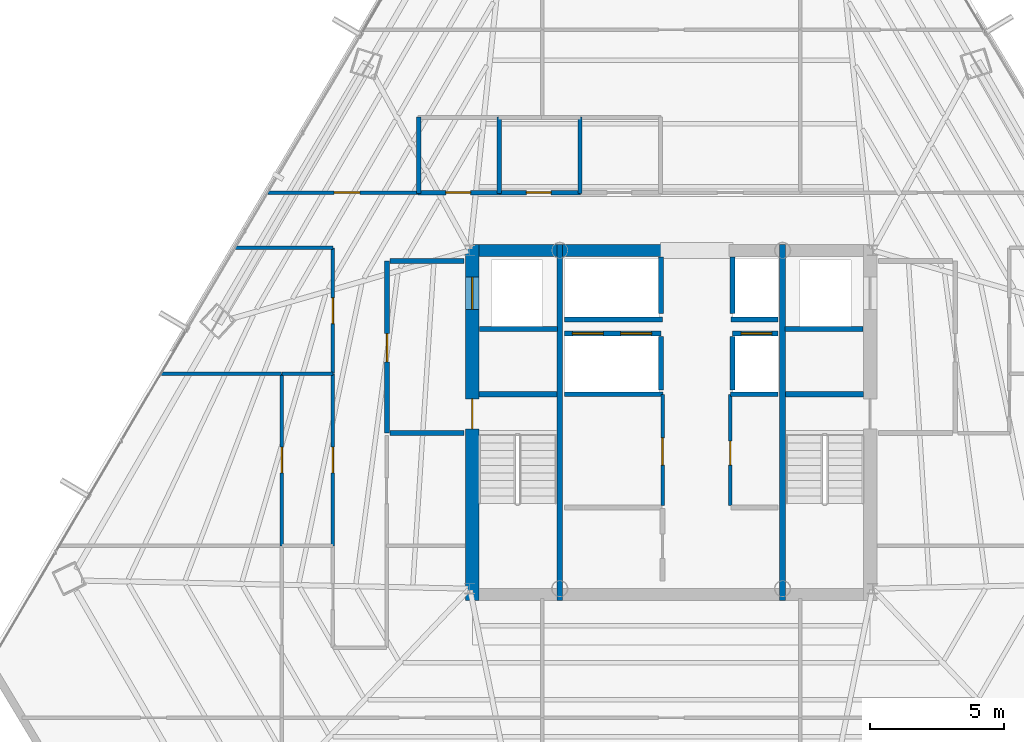
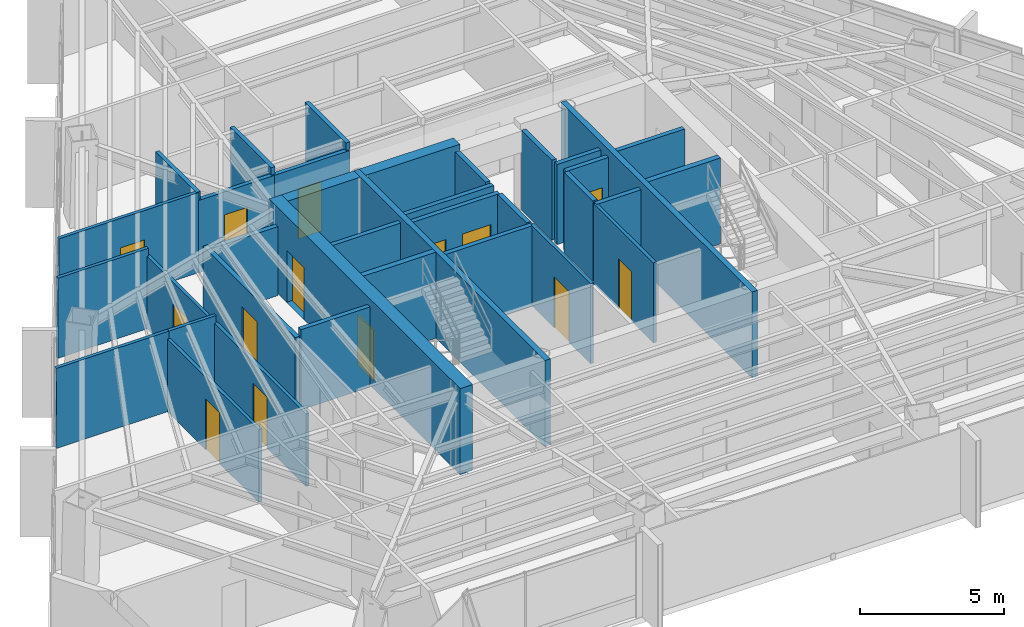
# One storey, part 36 of 41: 36 walls, 14 doors, 14 openings.
"""IFC4 building model written with IfcOpenShell, lengths in metres."""

import ifcopenshell
import ifcopenshell.guid

model = None  # the IFC model being written
_history = None  # IfcOwnerHistory: only IFC2X3 demands one
_inside = {}  # id of a spatial element -> (the spatial element, [elements in it])
_under = {}  # id of a project, library or spatial element -> (it, [spatial elements below it])
_declared = {}  # id of a project -> (the project, [libraries it declares])
_typed = {}  # id of a type object -> (the type object, [elements of that type])
_made_of = {}  # id of a material, layer set ... -> (it, [elements and type objects made of it])


def new_model(schema):
    """Start an empty IFC model of exactly this schema.

    Asked for "IFC4X3", IfcOpenShell would pick the latest addendum, in which some entities
    have other attributes; the version numbers below select the first issue.
    IFC2X3 requires an IfcOwnerHistory on every rooted entity: one is made here for all.
    """
    global model, _history
    if schema == "IFC4X3":
        model = ifcopenshell.file(schema_version=(4, 3, 0, 0))
    else:
        model = ifcopenshell.file(schema=schema)
    _inside.clear()
    _under.clear()
    _declared.clear()
    _typed.clear()
    _made_of.clear()
    _history = None
    if model.schema == "IFC2X3":
        org = make("IfcOrganization", Name="unknown")
        user = make(
            "IfcPersonAndOrganization",
            ThePerson=make("IfcPerson", FamilyName="unknown"),
            TheOrganization=org,
        )
        app = make(
            "IfcApplication",
            ApplicationDeveloper=org,
            Version="unknown",
            ApplicationFullName="unknown",
            ApplicationIdentifier="unknown",
        )
        _history = make(
            "IfcOwnerHistory",
            OwningUser=user,
            OwningApplication=app,
            ChangeAction="ADDED",
            CreationDate=0,
        )
    return model


def make(cls, **values):
    """One entity of the class cls with the attributes given. An attribute that is None is left unset."""
    return model.create_entity(
        cls, **{name: value for name, value in values.items() if value is not None}
    )


def rooted(cls, **values):
    """An entity with a GlobalId (a new one), such as an element, a storey or a relation."""
    return make(cls, GlobalId=ifcopenshell.guid.new(), OwnerHistory=_history, **values)


def si_unit(unit_type, name, prefix=None):
    """IfcSIUnit, for example si_unit("LENGTHUNIT", "METRE", prefix="MILLI")."""
    return make("IfcSIUnit", UnitType=unit_type, Prefix=prefix, Name=name)


def assignment(units):
    """IfcUnitAssignment: the units of a project."""
    return None if units is None else make("IfcUnitAssignment", Units=units)


def point(xyz):
    """IfcCartesianPoint."""
    return None if xyz is None else make("IfcCartesianPoint", Coordinates=xyz)


def direction(xyz):
    """IfcDirection."""
    return None if xyz is None else make("IfcDirection", DirectionRatios=xyz)


def frame(location, z_axis=None, x_axis=None):
    """IfcAxis2Placement3D, a coordinate frame: its origin and axes. An axis left out is left unset."""
    return make(
        "IfcAxis2Placement3D",
        Location=point(location),
        Axis=direction(z_axis),
        RefDirection=direction(x_axis),
    )


def frame_2d(location, x_axis=None):
    """IfcAxis2Placement2D, a coordinate frame in the plane: its origin and x axis."""
    return make(
        "IfcAxis2Placement2D", Location=point(location), RefDirection=direction(x_axis)
    )


def origin():
    """The frame at (0, 0, 0) with its axes left unset."""
    return frame((0.0, 0.0, 0.0))


def place(relative_to, where):
    """IfcLocalPlacement: puts the frame where relative to a parent placement (None: the world)."""
    return make(
        "IfcLocalPlacement", PlacementRelTo=relative_to, RelativePlacement=where
    )


def context(
    kind, dimensions, precision=None, world=None, true_north=None, identifier=None
):
    """IfcGeometricRepresentationContext, for example the 3D "Model" context."""
    return make(
        "IfcGeometricRepresentationContext",
        ContextIdentifier=identifier,
        ContextType=kind,
        CoordinateSpaceDimension=dimensions,
        Precision=precision,
        WorldCoordinateSystem=world,
        TrueNorth=true_north,
    )


def subcontext(parent, identifier, kind, view, scale=None):
    """IfcGeometricRepresentationSubContext, for example "Body" below "Model"."""
    return make(
        "IfcGeometricRepresentationSubContext",
        ContextIdentifier=identifier,
        ContextType=kind,
        ParentContext=parent,
        TargetScale=scale,
        TargetView=view,
    )


def project(units=None, contexts=None):
    """IfcProject with its units and contexts."""
    return rooted(
        "IfcProject",
        Name="project",
        RepresentationContexts=contexts,
        UnitsInContext=assignment(units),
    )


def spatial(cls, under=None, at=None, **own):
    """A site, building, storey or space (cls), placed at a placement, below another one or the project."""
    s = rooted(cls, ObjectPlacement=at, **own)
    if under is not None:
        _under.setdefault(under.id(), (under, []))[1].append(s)
    return s


def profile(cls, at=None, kind="AREA", **sizes):
    """A parametric profile (cls). Its sizes go by their IFC names, for example OverallWidth=200.0."""
    return make(cls, ProfileType=kind, Position=at, **sizes)


def rectangle(**sizes):
    """IfcRectangleProfileDef."""
    return profile("IfcRectangleProfileDef", **sizes)


def extrude(swept, where, along, depth):
    """IfcExtrudedAreaSolid: the profile swept, set in the frame where, extruded along a direction by depth."""
    return make(
        "IfcExtrudedAreaSolid",
        SweptArea=swept,
        Position=where,
        ExtrudedDirection=direction(along),
        Depth=depth,
    )


def shape(context_of_items, identifier, shape_type, items):
    """IfcShapeRepresentation: the items that make up one representation, for example the "Body"."""
    return make(
        "IfcShapeRepresentation",
        ContextOfItems=context_of_items,
        RepresentationIdentifier=identifier,
        RepresentationType=shape_type,
        Items=items,
    )


def material(Name=None, Category=None):
    """IfcMaterial."""
    return make("IfcMaterial", Name=Name, Category=Category)


def layer(
    of_material, thickness, ventilated=None, Name=None, Category=None, Priority=None
):
    """IfcMaterialLayer: one layer of a wall or slab, of a material (None: an air gap)."""
    return make(
        "IfcMaterialLayer",
        Material=of_material,
        LayerThickness=thickness,
        IsVentilated=ventilated,
        Name=Name,
        Category=Category,
        Priority=Priority,
    )


def layer_set(layers, Name=None):
    """IfcMaterialLayerSet."""
    return make("IfcMaterialLayerSet", MaterialLayers=layers, LayerSetName=Name)


def made_of(thing, what):
    """Note that an element or type object is made of a material, layer set ...; save() writes the relation."""
    if what is not None:
        _made_of.setdefault(what.id(), (what, []))[1].append(thing)
    return thing


def type_object(cls, material=None, **own):
    """A type object (cls), such as IfcWallType, which elements share."""
    return made_of(rooted(cls, **own), material)


def element(
    cls,
    number,
    at=None,
    inside=None,
    cuts=None,
    type_object=None,
    material=None,
    context=None,
    identifier="Body",
    shape_type=None,
    held_by="IfcProductDefinitionShape",
    body=None,
    shapes=None,
    **own,
):
    """One element of the class cls, such as IfcWall. Its Tag is "e" and its number.

    at: its placement. inside: the storey or other place that contains it. cuts: it is an
    opening in that element (IfcRelVoidsElement). A single representation is given by context,
    identifier, shape_type and body (its items); several are given by shapes. held_by: the class
    of the entity that holds the representations. save() writes the other relations.
    """
    e = rooted(cls, Tag="e%d" % number, ObjectPlacement=at, **own)
    if body is not None:
        shapes = [shape(context, identifier, shape_type, body)]
    if shapes is not None:
        e.Representation = make(held_by, Representations=shapes)
    if inside is not None:
        _inside.setdefault(inside.id(), (inside, []))[1].append(e)
    if cuts is not None:
        rooted(
            "IfcRelVoidsElement", RelatingBuildingElement=cuts, RelatedOpeningElement=e
        )
    if type_object is not None:
        _typed.setdefault(type_object.id(), (type_object, []))[1].append(e)
    return made_of(e, material)


def fill(opening, filler):
    """IfcRelFillsElement: the door or window that sits in an opening."""
    return rooted(
        "IfcRelFillsElement",
        RelatingOpeningElement=opening,
        RelatedBuildingElement=filler,
    )


def aggregate(whole, parts):
    """IfcRelAggregates: a whole, such as a stair, and the parts it consists of."""
    return rooted("IfcRelAggregates", RelatingObject=whole, RelatedObjects=parts)


def save(model, path):
    """Write the relations noted so far, then the file.

    IfcRelAggregates (storeys below a building ...), IfcRelContainedInSpatialStructure (elements
    in a storey), IfcRelDefinesByType, IfcRelAssociatesMaterial and IfcRelDeclares: one each for
    every whole, place, type object, material and project.
    """
    for whole, parts in _under.values():
        aggregate(whole, parts)
    for where, things in _inside.values():
        rooted(
            "IfcRelContainedInSpatialStructure",
            RelatedElements=things,
            RelatingStructure=where,
        )
    for kind, things in _typed.values():
        rooted("IfcRelDefinesByType", RelatedObjects=things, RelatingType=kind)
    for what, things in _made_of.values():
        rooted("IfcRelAssociatesMaterial", RelatedObjects=things, RelatingMaterial=what)
    for by, libraries in _declared.values():
        rooted("IfcRelDeclares", RelatingContext=by, RelatedDefinitions=libraries)
    model.write(path)


model = new_model("IFC4")

# Units and contexts
model_context = context("Model", 3, precision=1e-05, world=origin(), true_north=direction((0.0, 1.0)))
body_context = subcontext(model_context, "Body", "Model", "MODEL_VIEW")
ifc_project = project(units=[si_unit("LENGTHUNIT", "METRE"), si_unit("AREAUNIT", "SQUARE_METRE"), si_unit("VOLUMEUNIT", "CUBIC_METRE"), si_unit("PLANEANGLEUNIT", "RADIAN"), si_unit("MASSUNIT", "GRAM", prefix="KILO")], contexts=[model_context])

# Site, building, storey
site_placement = place(None, origin())
site = spatial("IfcSite", under=ifc_project, at=site_placement, CompositionType="ELEMENT")
building_placement = place(site_placement, origin())
building = spatial("IfcBuilding", under=site, at=building_placement, Name="Caelisora Broadcast Tower", CompositionType="ELEMENT")
storey_placement = place(building_placement, frame((0.0, 0.0, 173.10009765625)))
storey = spatial("IfcBuildingStorey", under=building, at=storey_placement, Name="L45", CompositionType="ELEMENT", Elevation=173.10009765625)

# Wall, openings, doors
ifc_material_1 = material(Name="Concrete 50 MPa (AS 3600 S50)", Category="concrete")
ifc_layer_1 = layer(ifc_material_1, 0.5, Name="Concrete 50 MPa (AS 3600 S50)")
ifc_layer_set_1 = layer_set([ifc_layer_1], Name="Concrete 50 MPa (AS 3600 S50)")
wall_type_1 = type_object("IfcWallType", Name="CW2", PredefinedType="SHEAR", material=ifc_layer_set_1)
wall_1_placement = place(storey_placement, frame((30.590087890625, 16.949951171875, 0.0), z_axis=(0.0, 0.0, 1.0), x_axis=(0.0, 1.0, 0.0)))
wall_1 = element("IfcWall", 1, at=wall_1_placement, inside=storey, type_object=wall_type_1, Name="L45 core shear wall CW2", PredefinedType="SHEAR", context=body_context, shape_type="SweptSolid", body=[
    extrude(rectangle(XDim=13.275146484375, YDim=0.5, at=frame_2d((6.6376953125, 0.0))), origin(), (0.0, 0.0, 1.0), 3.64990234375),
])
opening_1_placement = place(wall_1_placement, frame((6.39990234375, 0.0, 0.0)))
opening_1 = element("IfcOpeningElement", 2, at=opening_1_placement, cuts=wall_1, Name="Opening FD04", PredefinedType="OPENING", context=body_context, shape_type="SweptSolid", body=[
    extrude(rectangle(XDim=1.1201171875, YDim=2.14990234375, at=frame_2d((0.56005859375, 1.074951171875))), frame((0.0, 0.261962890625, 0.0), z_axis=(0.0, -1.0, 0.0), x_axis=(1.0, 0.0, 0.0)), (0.0, 0.0, 1.0), 0.52392578125),
])
opening_2_placement = place(wall_1_placement, frame((10.85009765625, 0.0, 0.0)))
opening_2 = element("IfcOpeningElement", 3, at=opening_2_placement, cuts=wall_1, Name="Opening LD04", PredefinedType="OPENING", context=body_context, shape_type="SweptSolid", body=[
    extrude(rectangle(XDim=1.199951171875, YDim=2.199951171875, at=frame_2d((0.60009765625, 1.10009765625))), frame((0.0, 0.261962890625, 0.0), z_axis=(0.0, -1.0, 0.0), x_axis=(1.0, 0.0, 0.0)), (0.0, 0.0, 1.0), 0.52392578125),
])
ifc_material_2 = material(Name="Pressurised Fire-Isolated Stair Door", Category="steel")
door_type_1 = type_object("IfcDoorType", Name="FD04", OperationType="NOTDEFINED", PredefinedType="DOOR", material=ifc_material_2)
door_1_placement = place(opening_1_placement, origin())
door_1 = element("IfcDoor", 4, at=door_1_placement, inside=storey, type_object=door_type_1, Name="L45 door FD04 (L45-DR-ST1)", OperationType="SINGLE_SWING_LEFT", OverallHeight=2.14990234375, OverallWidth=1.1201171875, PredefinedType="DOOR", context=body_context, shape_type="SweptSolid", body=[
    extrude(rectangle(XDim=1.1201171875, YDim=2.14990234375, at=frame_2d((0.56005859375, 1.074951171875))), frame((0.0, 0.02490234375, 0.0), z_axis=(0.0, -1.0, 0.0), x_axis=(1.0, 0.0, 0.0)), (0.0, 0.0, 1.0), 0.050048828125),
])
fill(opening_1, door_1)
ifc_material_3 = material(Name="Emergency Firefighting Lift Sliding Landing Door", Category="steel")
door_type_2 = type_object("IfcDoorType", Name="LD04", OperationType="NOTDEFINED", PredefinedType="DOOR", material=ifc_material_3)
door_2_placement = place(opening_2_placement, origin())
door_2 = element("IfcDoor", 5, at=door_2_placement, inside=storey, type_object=door_type_2, Name="L45 door LD04 (L45-LD-FFL1)", OperationType="SLIDING_TO_LEFT", OverallHeight=2.199951171875, OverallWidth=1.199951171875, PredefinedType="DOOR", context=body_context, shape_type="SweptSolid", body=[
    extrude(rectangle(XDim=1.199951171875, YDim=2.199951171875, at=frame_2d((0.60009765625, 1.10009765625))), frame((0.0, 0.02490234375, 0.0), z_axis=(0.0, -1.0, 0.0), x_axis=(1.0, 0.0, 0.0)), (0.0, 0.0, 1.0), 0.050048828125),
])
fill(opening_2, door_2)

# Walls
ifc_layer_2 = layer(ifc_material_1, 0.449951171875, Name="Concrete 50 MPa (AS 3600 S50)")
ifc_layer_set_2 = layer_set([ifc_layer_2], Name="Concrete 50 MPa (AS 3600 S50)")
wall_type_2 = type_object("IfcWallType", Name="CW5", PredefinedType="SHEAR", material=ifc_layer_set_2)
wall_2_placement = place(storey_placement, frame((30.840087890625, 30.0, 0.0), z_axis=(0.0, 0.0, 1.0), x_axis=(1.0, 0.0, 0.0)))
element("IfcWall", 6, at=wall_2_placement, inside=storey, type_object=wall_type_2, Name="L45 core shear wall CW5", PredefinedType="SHEAR", context=body_context, shape_type="SweptSolid", body=[
    extrude(rectangle(XDim=2.89990234375, YDim=0.449951171875, at=frame_2d((1.449951171875, 0.0))), origin(), (0.0, 0.0, 1.0), 3.64990234375),
])
wall_3_placement = place(storey_placement, frame((33.9599609375, 30.0, 0.0), z_axis=(0.0, 0.0, 1.0), x_axis=(1.0, 0.0, 0.0)))
element("IfcWall", 7, at=wall_3_placement, inside=storey, type_object=wall_type_2, Name="L45 core shear wall CW5", PredefinedType="SHEAR", context=body_context, shape_type="SweptSolid", body=[
    extrude(rectangle(XDim=3.780029296875, YDim=0.449951171875, at=frame_2d((1.89013671875, 0.0))), origin(), (0.0, 0.0, 1.0), 3.64990234375),
])
ifc_layer_3 = layer(ifc_material_1, 0.219970703125, Name="Concrete 50 MPa (AS 3600 S50)")
ifc_layer_set_3 = layer_set([ifc_layer_3], Name="Concrete 50 MPa (AS 3600 S50)")
wall_type_3 = type_object("IfcWallType", Name="CW7", PredefinedType="SHEAR", material=ifc_layer_set_3)
for number, where, z_axis, x_axis, name in (
    (8, (33.85009765625, 16.949951171875, 0.0), (0.0, 0.0, 1.0), (0.0, 1.0, 0.0), "L45 core shear wall CW7"),
    (9, (42.14990234375, 16.949951171875, 0.0), (0.0, 0.0, 1.0), (0.0, 1.0, 0.0), "L45 core shear wall CW7"),
):
    element("IfcWall", number, at=place(storey_placement, frame(where, z_axis=z_axis, x_axis=x_axis)), inside=storey, type_object=wall_type_3, Name=name, PredefinedType="SHEAR", context=body_context, shape_type="SweptSolid", body=[
        extrude(rectangle(XDim=13.275146484375, YDim=0.219970703125, at=frame_2d((6.6376953125, 0.0))), origin(), (0.0, 0.0, 1.0), 3.64990234375),
    ])
for number, where, z_axis, x_axis, name in (
    (10, (30.840087890625, 24.639892578125, 0.0), (0.0, 0.0, 1.0), (1.0, 0.0, 0.0), "L45 core shear wall CW7"),
    (11, (42.260009765625, 24.639892578125, 0.0), (0.0, 0.0, 1.0), (1.0, 0.0, 0.0), "L45 core shear wall CW7"),
):
    element("IfcWall", number, at=place(storey_placement, frame(where, z_axis=z_axis, x_axis=x_axis)), inside=storey, type_object=wall_type_3, Name=name, PredefinedType="SHEAR", context=body_context, shape_type="SweptSolid", body=[
        extrude(rectangle(XDim=2.89990234375, YDim=0.219970703125, at=frame_2d((1.449951171875, 0.0))), origin(), (0.0, 0.0, 1.0), 3.64990234375),
    ])

# Wall, openings, doors
ifc_material_4 = material(Name="Fire-Rated Gypsum Shaft and Compartment Wall", Category="gypsum")
ifc_layer_4 = layer(ifc_material_4, 0.179931640625, Name="Fire-Rated Gypsum Shaft and Compartment Wall")
ifc_layer_set_4 = layer_set([ifc_layer_4], Name="Fire-Rated Gypsum Shaft and Compartment Wall")
wall_type_4 = type_object("IfcWallType", Name="PW2", PredefinedType="PARTITIONING", material=ifc_layer_set_4)
wall_4_placement = place(storey_placement, frame((34.02001953125, 26.89990234375, 0.0), z_axis=(0.0, 0.0, 1.0), x_axis=(1.0, 0.0, 0.0)))
wall_4 = element("IfcWall", 12, at=wall_4_placement, inside=storey, type_object=wall_type_4, Name="L45 fire compartment wall PW2", PredefinedType="PARTITIONING", context=body_context, shape_type="SweptSolid", body=[
    extrude(rectangle(XDim=3.60009765625, YDim=0.179931640625, at=frame_2d((1.800048828125, 0.0))), origin(), (0.0, 0.0, 1.0), 3.39990234375),
])
opening_3_placement = place(wall_4_placement, frame((0.300048828125, 0.0, 0.0)))
opening_3 = element("IfcOpeningElement", 13, at=opening_3_placement, cuts=wall_4, Name="Opening LD02", PredefinedType="OPENING", context=body_context, shape_type="SweptSolid", body=[
    extrude(rectangle(XDim=1.14990234375, YDim=2.199951171875, at=frame_2d((0.574951171875, 1.10009765625))), frame((0.0, 0.10205078125, 0.0), z_axis=(0.0, -1.0, 0.0), x_axis=(1.0, 0.0, 0.0)), (0.0, 0.0, 1.0), 0.203857421875),
])
opening_4_placement = place(wall_4_placement, frame((2.10009765625, 0.0, 0.0)))
opening_4 = element("IfcOpeningElement", 14, at=opening_4_placement, cuts=wall_4, Name="Opening LD02", PredefinedType="OPENING", context=body_context, shape_type="SweptSolid", body=[
    extrude(rectangle(XDim=1.14990234375, YDim=2.199951171875, at=frame_2d((0.574951171875, 1.10009765625))), frame((0.0, 0.10205078125, 0.0), z_axis=(0.0, -1.0, 0.0), x_axis=(1.0, 0.0, 0.0)), (0.0, 0.0, 1.0), 0.203857421875),
])
ifc_material_5 = material(Name="High-Speed Express Lift Sliding Landing Door", Category="steel")
door_type_3 = type_object("IfcDoorType", Name="LD02", OperationType="NOTDEFINED", PredefinedType="DOOR", material=ifc_material_5)
door_3_placement = place(opening_3_placement, origin())
door_3 = element("IfcDoor", 15, at=door_3_placement, inside=storey, type_object=door_type_3, Name="L45 door LD02 (L45-LD-PLM1)", OperationType="SLIDING_TO_LEFT", OverallHeight=2.199951171875, OverallWidth=1.14990234375, PredefinedType="DOOR", context=body_context, shape_type="SweptSolid", body=[
    extrude(rectangle(XDim=1.14990234375, YDim=2.199951171875, at=frame_2d((0.574951171875, 1.10009765625))), frame((0.0, 0.02490234375, 0.0), z_axis=(0.0, -1.0, 0.0), x_axis=(1.0, 0.0, 0.0)), (0.0, 0.0, 1.0), 0.050048828125),
])
fill(opening_3, door_3)
door_4_placement = place(opening_4_placement, origin())
door_4 = element("IfcDoor", 16, at=door_4_placement, inside=storey, type_object=door_type_3, Name="L45 door LD02 (L45-LD-PLM2)", OperationType="SLIDING_TO_RIGHT", OverallHeight=2.199951171875, OverallWidth=1.14990234375, PredefinedType="DOOR", context=body_context, shape_type="SweptSolid", body=[
    extrude(rectangle(XDim=1.14990234375, YDim=2.199951171875, at=frame_2d((0.574951171875, 1.10009765625))), frame((0.0, 0.02490234375, 0.0), z_axis=(0.0, -1.0, 0.0), x_axis=(1.0, 0.0, 0.0)), (0.0, 0.0, 1.0), 0.050048828125),
])
fill(opening_4, door_4)

# Wall, opening, door
wall_5_placement = place(storey_placement, frame((40.280029296875, 26.89990234375, 0.0), z_axis=(0.0, 0.0, 1.0), x_axis=(1.0, 0.0, 0.0)))
wall_5 = element("IfcWall", 17, at=wall_5_placement, inside=storey, type_object=wall_type_4, Name="L45 fire compartment wall PW2", PredefinedType="PARTITIONING", context=body_context, shape_type="SweptSolid", body=[
    extrude(rectangle(XDim=1.699951171875, YDim=0.179931640625, at=frame_2d((0.85009765625, 0.0))), origin(), (0.0, 0.0, 1.0), 3.39990234375),
])
opening_5_placement = place(wall_5_placement, frame((0.320068359375, 0.0, 0.0)))
opening_5 = element("IfcOpeningElement", 18, at=opening_5_placement, cuts=wall_5, Name="Opening LD02", PredefinedType="OPENING", context=body_context, shape_type="SweptSolid", body=[
    extrude(rectangle(XDim=1.14990234375, YDim=2.199951171875, at=frame_2d((0.574951171875, 1.10009765625))), frame((0.0, 0.10205078125, 0.0), z_axis=(0.0, -1.0, 0.0), x_axis=(1.0, 0.0, 0.0)), (0.0, 0.0, 1.0), 0.203857421875),
])
door_5_placement = place(opening_5_placement, origin())
door_5 = element("IfcDoor", 19, at=door_5_placement, inside=storey, type_object=door_type_3, Name="L45 door LD02 (L45-LD-PLM3)", OperationType="SLIDING_TO_LEFT", OverallHeight=2.199951171875, OverallWidth=1.14990234375, PredefinedType="DOOR", context=body_context, shape_type="SweptSolid", body=[
    extrude(rectangle(XDim=1.14990234375, YDim=2.199951171875, at=frame_2d((0.574951171875, 1.10009765625))), frame((0.0, 0.02490234375, 0.0), z_axis=(0.0, -1.0, 0.0), x_axis=(1.0, 0.0, 0.0)), (0.0, 0.0, 1.0), 0.050048828125),
])
fill(opening_5, door_5)

# Walls
for number, where, z_axis, x_axis, name in (
    (20, (37.6201171875, 24.800048828125, 0.0), (0.0, 0.0, 1.0), (0.0, 1.0, 0.0), "L45 fire compartment wall PW2"),
    (21, (40.280029296875, 24.800048828125, 0.0), (0.0, 0.0, 1.0), (0.0, 1.0, 0.0), "L45 fire compartment wall PW2"),
):
    element("IfcWall", number, at=place(storey_placement, frame(where, z_axis=z_axis, x_axis=x_axis)), inside=storey, type_object=wall_type_4, Name=name, PredefinedType="PARTITIONING", context=body_context, shape_type="SweptSolid", body=[
        extrude(rectangle(XDim=2.0, YDim=0.179931640625, at=frame_2d((1.0, 0.0))), origin(), (0.0, 0.0, 1.0), 3.39990234375),
    ])
wall_6_placement = place(storey_placement, frame((34.02001953125, 24.639892578125, 0.0), z_axis=(0.0, 0.0, 1.0), x_axis=(1.0, 0.0, 0.0)))
element("IfcWall", 22, at=wall_6_placement, inside=storey, type_object=wall_type_4, Name="L45 fire compartment wall PW2", PredefinedType="PARTITIONING", context=body_context, shape_type="SweptSolid", body=[
    extrude(rectangle(XDim=3.679931640625, YDim=0.179931640625, at=frame_2d((1.83984375, 0.0))), origin(), (0.0, 0.0, 1.0), 3.39990234375),
])
wall_7_placement = place(storey_placement, frame((40.199951171875, 24.639892578125, 0.0), z_axis=(0.0, 0.0, 1.0), x_axis=(1.0, 0.0, 0.0)))
element("IfcWall", 23, at=wall_7_placement, inside=storey, type_object=wall_type_4, Name="L45 fire compartment wall PW2", PredefinedType="PARTITIONING", context=body_context, shape_type="SweptSolid", body=[
    extrude(rectangle(XDim=1.780029296875, YDim=0.179931640625, at=frame_2d((0.89013671875, 0.0))), origin(), (0.0, 0.0, 1.0), 3.39990234375),
])
wall_8_placement = place(storey_placement, frame((34.02001953125, 27.419921875, 0.0), z_axis=(0.0, 0.0, 1.0), x_axis=(1.0, 0.0, 0.0)))
element("IfcWall", 24, at=wall_8_placement, inside=storey, type_object=wall_type_4, Name="L45 fire compartment wall PW2", PredefinedType="PARTITIONING", context=body_context, shape_type="SweptSolid", body=[
    extrude(rectangle(XDim=3.659912109375, YDim=0.179931640625, at=frame_2d((1.830078125, 0.0))), origin(), (0.0, 0.0, 1.0), 3.39990234375),
])
wall_9_placement = place(storey_placement, frame((40.219970703125, 27.419921875, 0.0), z_axis=(0.0, 0.0, 1.0), x_axis=(1.0, 0.0, 0.0)))
element("IfcWall", 25, at=wall_9_placement, inside=storey, type_object=wall_type_4, Name="L45 fire compartment wall PW2", PredefinedType="PARTITIONING", context=body_context, shape_type="SweptSolid", body=[
    extrude(rectangle(XDim=1.760009765625, YDim=0.179931640625, at=frame_2d((0.8798828125, 0.0))), origin(), (0.0, 0.0, 1.0), 3.39990234375),
])
for number, where, z_axis, x_axis, name in (
    (26, (37.6201171875, 27.639892578125, 0.0), (0.0, 0.0, 1.0), (0.0, 1.0, 0.0), "L45 fire compartment wall PW2"),
    (27, (40.280029296875, 27.639892578125, 0.0), (0.0, 0.0, 1.0), (0.0, 1.0, 0.0), "L45 fire compartment wall PW2"),
):
    element("IfcWall", number, at=place(storey_placement, frame(where, z_axis=z_axis, x_axis=x_axis)), inside=storey, type_object=wall_type_4, Name=name, PredefinedType="PARTITIONING", context=body_context, shape_type="SweptSolid", body=[
        extrude(rectangle(XDim=2.110107421875, YDim=0.179931640625, at=frame_2d((1.05517578125, 0.0))), origin(), (0.0, 0.0, 1.0), 3.39990234375),
    ])

# Wall, opening, door
wall_10_placement = place(storey_placement, frame((27.419921875, 23.199951171875, 0.0), z_axis=(0.0, 0.0, 1.0), x_axis=(0.0, 1.0, 0.0)))
wall_10 = element("IfcWall", 28, at=wall_10_placement, inside=storey, type_object=wall_type_4, Name="L45 fire compartment wall PW2", PredefinedType="PARTITIONING", context=body_context, shape_type="SweptSolid", body=[
    extrude(rectangle(XDim=6.400146484375, YDim=0.179931640625, at=frame_2d((3.2001953125, 0.0))), origin(), (0.0, 0.0, 1.0), 3.07763671875),
])
opening_6_placement = place(wall_10_placement, frame((2.64990234375, 0.0, 0.0)))
opening_6 = element("IfcOpeningElement", 29, at=opening_6_placement, cuts=wall_10, Name="Opening FD02", PredefinedType="OPENING", context=body_context, shape_type="SweptSolid", body=[
    extrude(rectangle(XDim=1.050048828125, YDim=2.14990234375, at=frame_2d((0.52490234375, 1.074951171875))), frame((0.0, 0.10205078125, 0.0), z_axis=(0.0, -1.0, 0.0), x_axis=(1.0, 0.0, 0.0)), (0.0, 0.0, 1.0), 0.203857421875),
])
ifc_material_6 = material(Name="Single-Leaf Steel Fire Lobby Door", Category="steel")
door_type_4 = type_object("IfcDoorType", Name="FD02", OperationType="NOTDEFINED", PredefinedType="DOOR", material=ifc_material_6)
door_6_placement = place(opening_6_placement, origin())
door_6 = element("IfcDoor", 30, at=door_6_placement, inside=storey, type_object=door_type_4, Name="L45 door FD02 (L45-DR-P01D1)", OperationType="SINGLE_SWING_RIGHT", OverallHeight=2.14990234375, OverallWidth=1.050048828125, PredefinedType="DOOR", context=body_context, shape_type="SweptSolid", body=[
    extrude(rectangle(XDim=1.050048828125, YDim=2.14990234375, at=frame_2d((0.52490234375, 1.074951171875))), frame((0.0, 0.02490234375, 0.0), z_axis=(0.0, -1.0, 0.0), x_axis=(1.0, 0.0, 0.0)), (0.0, 0.0, 1.0), 0.050048828125),
])
fill(opening_6, door_6)

# Walls
wall_11_placement = place(storey_placement, frame((27.52001953125, 23.199951171875, 0.0), z_axis=(0.0, 0.0, 1.0), x_axis=(1.0, 0.0, 0.0)))
element("IfcWall", 31, at=wall_11_placement, inside=storey, type_object=wall_type_4, Name="L45 fire compartment wall PW2", PredefinedType="PARTITIONING", context=body_context, shape_type="SweptSolid", body=[
    extrude(rectangle(XDim=2.760009765625, YDim=0.179931640625, at=frame_2d((1.3798828125, 0.0))), origin(), (0.0, 0.0, 1.0), 3.39990234375),
])
wall_12_placement = place(storey_placement, frame((27.52001953125, 29.60009765625, 0.0), z_axis=(0.0, 0.0, 1.0), x_axis=(1.0, 0.0, 0.0)))
element("IfcWall", 32, at=wall_12_placement, inside=storey, type_object=wall_type_4, Name="L45 fire compartment wall PW2", PredefinedType="PARTITIONING", context=body_context, shape_type="SweptSolid", body=[
    extrude(rectangle(XDim=2.760009765625, YDim=0.179931640625, at=frame_2d((1.3798828125, 0.0))), origin(), (0.0, 0.0, 1.0), 2.924560546875),
])
for number, where, z_axis, x_axis, name in (
    (33, (30.860107421875, 27.070068359375, 0.0), (0.0, 0.0, 1.0), (1.0, 0.0, 0.0), "L45 fire compartment wall PW2"),
    (34, (42.239990234375, 27.070068359375, 0.0), (0.0, 0.0, 1.0), (1.0, 0.0, 0.0), "L45 fire compartment wall PW2"),
):
    element("IfcWall", number, at=place(storey_placement, frame(where, z_axis=z_axis, x_axis=x_axis)), inside=storey, type_object=wall_type_4, Name=name, PredefinedType="PARTITIONING", context=body_context, shape_type="SweptSolid", body=[
        extrude(rectangle(XDim=2.89990234375, YDim=0.179931640625, at=frame_2d((1.449951171875, 0.0))), origin(), (0.0, 0.0, 1.0), 3.39990234375),
    ])

# Wall, opening, door
ifc_material_7 = material(Name="Acoustic Steel-Stud Plasterboard Partition", Category="gypsum")
ifc_layer_5 = layer(ifc_material_7, 0.1298828125, Name="Acoustic Steel-Stud Plasterboard Partition")
ifc_layer_set_5 = layer_set([ifc_layer_5], Name="Acoustic Steel-Stud Plasterboard Partition")
wall_type_5 = type_object("IfcWallType", Name="PW3", PredefinedType="PARTITIONING", material=ifc_layer_set_5)
wall_13_placement = place(storey_placement, frame((37.679931640625, 20.5, 0.0), z_axis=(0.0, 0.0, 1.0), x_axis=(0.0, 1.0, 0.0)))
wall_13 = element("IfcWall", 35, at=wall_13_placement, inside=storey, type_object=wall_type_5, Name="L45 internal partition PW3", PredefinedType="PARTITIONING", context=body_context, shape_type="SweptSolid", body=[
    extrude(rectangle(XDim=4.139892578125, YDim=0.1298828125, at=frame_2d((2.06982421875, 0.0))), origin(), (0.0, 0.0, 1.0), 3.39990234375),
])
opening_7_placement = place(wall_13_placement, frame((1.5, 0.0, 0.0)))
opening_7 = element("IfcOpeningElement", 36, at=opening_7_placement, cuts=wall_13, Name="Opening D02", PredefinedType="OPENING", context=body_context, shape_type="SweptSolid", body=[
    extrude(rectangle(XDim=1.02001953125, YDim=2.14990234375, at=frame_2d((0.510009765625, 1.074951171875))), frame((0.0, 0.076904296875, 0.0), z_axis=(0.0, -1.0, 0.0), x_axis=(1.0, 0.0, 0.0)), (0.0, 0.0, 1.0), 0.15380859375),
])
ifc_material_8 = material(Name="Solid-Core Timber Archive Suite Door", Category="wood")
door_type_5 = type_object("IfcDoorType", Name="D02", OperationType="NOTDEFINED", PredefinedType="DOOR", material=ifc_material_8)
door_7_placement = place(opening_7_placement, origin())
door_7 = element("IfcDoor", 37, at=door_7_placement, inside=storey, type_object=door_type_5, Name="L45 door D02 (L45-DR-P11D1)", OperationType="SINGLE_SWING_RIGHT", OverallHeight=2.14990234375, OverallWidth=1.02001953125, PredefinedType="DOOR", context=body_context, shape_type="SweptSolid", body=[
    extrude(rectangle(XDim=1.02001953125, YDim=2.14990234375, at=frame_2d((0.510009765625, 1.074951171875))), frame((0.0, 0.02490234375, 0.0), z_axis=(0.0, -1.0, 0.0), x_axis=(1.0, 0.0, 0.0)), (0.0, 0.0, 1.0), 0.050048828125),
])
fill(opening_7, door_7)

wall_14_placement = place(storey_placement, frame((40.199951171875, 20.5, 0.0), z_axis=(0.0, 0.0, 1.0), x_axis=(0.0, 1.0, 0.0)))
wall_14 = element("IfcWall", 38, at=wall_14_placement, inside=storey, type_object=wall_type_5, Name="L45 internal partition PW3", PredefinedType="PARTITIONING", context=body_context, shape_type="SweptSolid", body=[
    extrude(rectangle(XDim=4.139892578125, YDim=0.1298828125, at=frame_2d((2.06982421875, 0.0))), origin(), (0.0, 0.0, 1.0), 3.39990234375),
])
opening_8_placement = place(wall_14_placement, frame((1.5, 0.0, 0.0)))
opening_8 = element("IfcOpeningElement", 39, at=opening_8_placement, cuts=wall_14, Name="Opening FD03", PredefinedType="OPENING", context=body_context, shape_type="SweptSolid", body=[
    extrude(rectangle(XDim=0.89990234375, YDim=2.10009765625, at=frame_2d((0.449951171875, 1.050048828125))), frame((0.0, 0.076904296875, 0.0), z_axis=(0.0, -1.0, 0.0), x_axis=(1.0, 0.0, 0.0)), (0.0, 0.0, 1.0), 0.15380859375),
])
ifc_material_9 = material(Name="Single-Leaf Steel Riser Fire Access Door", Category="steel")
door_type_6 = type_object("IfcDoorType", Name="FD03", OperationType="NOTDEFINED", PredefinedType="DOOR", material=ifc_material_9)
door_8_placement = place(opening_8_placement, origin())
door_8 = element("IfcDoor", 40, at=door_8_placement, inside=storey, type_object=door_type_6, Name="L45 door FD03 (L45-DR-P12D1)", OperationType="SINGLE_SWING_LEFT", OverallHeight=2.10009765625, OverallWidth=0.89990234375, PredefinedType="DOOR", context=body_context, shape_type="SweptSolid", body=[
    extrude(rectangle(XDim=0.89990234375, YDim=2.10009765625, at=frame_2d((0.449951171875, 1.050048828125))), frame((0.0, 0.02490234375, 0.0), z_axis=(0.0, -1.0, 0.0), x_axis=(1.0, 0.0, 0.0)), (0.0, 0.0, 1.0), 0.050048828125),
])
fill(opening_8, door_8)

wall_15_placement = place(storey_placement, frame((25.39990234375, 18.9951171875, 0.0), z_axis=(0.0, 0.0, 1.0), x_axis=(0.0, 1.0, 0.0)))
wall_15 = element("IfcWall", 41, at=wall_15_placement, inside=storey, type_object=wall_type_5, Name="L45 internal partition PW3", PredefinedType="PARTITIONING", context=body_context, shape_type="SweptSolid", body=[
    extrude(rectangle(XDim=6.39990234375, YDim=0.1298828125, at=frame_2d((3.199951171875, 0.0))), origin(), (0.0, 0.0, 1.0), 3.07763671875),
])
opening_9_placement = place(wall_15_placement, frame((2.719970703125, 0.0, 0.0)))
opening_9 = element("IfcOpeningElement", 42, at=opening_9_placement, cuts=wall_15, Name="Opening D01", PredefinedType="OPENING", context=body_context, shape_type="SweptSolid", body=[
    extrude(rectangle(XDim=0.9599609375, YDim=2.14990234375, at=frame_2d((0.47998046875, 1.074951171875))), frame((0.0, 0.076904296875, 0.0), z_axis=(0.0, -1.0, 0.0), x_axis=(1.0, 0.0, 0.0)), (0.0, 0.0, 1.0), 0.15380859375),
])
ifc_material_10 = material(Name="Solid-Core Timber Acoustic Office Door", Category="wood")
door_type_7 = type_object("IfcDoorType", Name="D01", OperationType="NOTDEFINED", PredefinedType="DOOR", material=ifc_material_10)
door_9_placement = place(opening_9_placement, origin())
door_9 = element("IfcDoor", 43, at=door_9_placement, inside=storey, type_object=door_type_7, Name="L45 door D01 (L45-DR-P42D1)", OperationType="SINGLE_SWING_LEFT", OverallHeight=2.14990234375, OverallWidth=0.9599609375, PredefinedType="DOOR", context=body_context, shape_type="SweptSolid", body=[
    extrude(rectangle(XDim=0.9599609375, YDim=2.14990234375, at=frame_2d((0.47998046875, 1.074951171875))), frame((0.0, 0.02490234375, 0.0), z_axis=(0.0, -1.0, 0.0), x_axis=(1.0, 0.0, 0.0)), (0.0, 0.0, 1.0), 0.050048828125),
])
fill(opening_9, door_9)

wall_16_placement = place(storey_placement, frame((23.5, 18.9951171875, 0.0), z_axis=(0.0, 0.0, 1.0), x_axis=(0.0, 1.0, 0.0)))
wall_16 = element("IfcWall", 44, at=wall_16_placement, inside=storey, type_object=wall_type_5, Name="L45 internal partition PW3", PredefinedType="PARTITIONING", context=body_context, shape_type="SweptSolid", body=[
    extrude(rectangle(XDim=6.39990234375, YDim=0.1298828125, at=frame_2d((3.199951171875, 0.0))), origin(), (0.0, 0.0, 1.0), 3.07763671875),
])
opening_10_placement = place(wall_16_placement, frame((2.719970703125, 0.0, 0.0)))
opening_10 = element("IfcOpeningElement", 45, at=opening_10_placement, cuts=wall_16, Name="Opening D01", PredefinedType="OPENING", context=body_context, shape_type="SweptSolid", body=[
    extrude(rectangle(XDim=0.9599609375, YDim=2.14990234375, at=frame_2d((0.47998046875, 1.074951171875))), frame((0.0, 0.076904296875, 0.0), z_axis=(0.0, -1.0, 0.0), x_axis=(1.0, 0.0, 0.0)), (0.0, 0.0, 1.0), 0.15380859375),
])
door_10_placement = place(opening_10_placement, origin())
door_10 = element("IfcDoor", 46, at=door_10_placement, inside=storey, type_object=door_type_7, Name="L45 door D01 (L45-DR-P43D1)", OperationType="SINGLE_SWING_RIGHT", OverallHeight=2.14990234375, OverallWidth=0.9599609375, PredefinedType="DOOR", context=body_context, shape_type="SweptSolid", body=[
    extrude(rectangle(XDim=0.9599609375, YDim=2.14990234375, at=frame_2d((0.47998046875, 1.074951171875))), frame((0.0, 0.02490234375, 0.0), z_axis=(0.0, -1.0, 0.0), x_axis=(1.0, 0.0, 0.0)), (0.0, 0.0, 1.0), 0.050048828125),
])
fill(opening_10, door_10)

wall_17_placement = place(storey_placement, frame((22.989013671875, 32.14990234375, 0.0), z_axis=(0.0, 0.0, 1.0), x_axis=(1.0, 0.0, 0.0)))
wall_17 = element("IfcWall", 47, at=wall_17_placement, inside=storey, type_object=wall_type_5, Name="L45 internal partition PW3", PredefinedType="PARTITIONING", context=body_context, shape_type="SweptSolid", body=[
    extrude(rectangle(XDim=5.60595703125, YDim=0.1298828125, at=frame_2d((2.802978515625, 0.0))), origin(), (0.0, 0.0, 1.0), 3.39990234375),
])
opening_11_placement = place(wall_17_placement, frame((2.4599609375, 0.0, 0.0)))
opening_11 = element("IfcOpeningElement", 48, at=opening_11_placement, cuts=wall_17, Name="Opening D01", PredefinedType="OPENING", context=body_context, shape_type="SweptSolid", body=[
    extrude(rectangle(XDim=0.9599609375, YDim=2.14990234375, at=frame_2d((0.47998046875, 1.074951171875))), frame((0.0, 0.076904296875, 0.0), z_axis=(0.0, -1.0, 0.0), x_axis=(1.0, 0.0, 0.0)), (0.0, 0.0, 1.0), 0.15380859375),
])
door_11_placement = place(opening_11_placement, origin())
door_11 = element("IfcDoor", 49, at=door_11_placement, inside=storey, type_object=door_type_7, Name="L45 door D01 (L45-DR-P53D1)", OperationType="SINGLE_SWING_RIGHT", OverallHeight=2.14990234375, OverallWidth=0.9599609375, PredefinedType="DOOR", context=body_context, shape_type="SweptSolid", body=[
    extrude(rectangle(XDim=0.9599609375, YDim=2.14990234375, at=frame_2d((0.47998046875, 1.074951171875))), frame((0.0, 0.02490234375, 0.0), z_axis=(0.0, -1.0, 0.0), x_axis=(1.0, 0.0, 0.0)), (0.0, 0.0, 1.0), 0.050048828125),
])
fill(opening_11, door_11)

wall_18_placement = place(storey_placement, frame((25.39990234375, 30.094970703125, 0.0), z_axis=(0.0, 0.0, 1.0), x_axis=(0.0, -1.0, 0.0)))
wall_18 = element("IfcWall", 50, at=wall_18_placement, inside=storey, type_object=wall_type_5, Name="L45 internal partition PW3", PredefinedType="PARTITIONING", context=body_context, shape_type="SweptSolid", body=[
    extrude(rectangle(XDim=4.68994140625, YDim=0.1298828125, at=frame_2d((2.344970703125, 0.0))), origin(), (0.0, 0.0, 1.0), 3.07763671875),
])
opening_12_placement = place(wall_18_placement, frame((1.864990234375, 0.0, 0.0)))
opening_12 = element("IfcOpeningElement", 51, at=opening_12_placement, cuts=wall_18, Name="Opening D01", PredefinedType="OPENING", context=body_context, shape_type="SweptSolid", body=[
    extrude(rectangle(XDim=0.9599609375, YDim=2.14990234375, at=frame_2d((0.47998046875, 1.074951171875))), frame((0.0, 0.076904296875, 0.0), z_axis=(0.0, -1.0, 0.0), x_axis=(1.0, 0.0, 0.0)), (0.0, 0.0, 1.0), 0.15380859375),
])
door_12_placement = place(opening_12_placement, origin())
door_12 = element("IfcDoor", 52, at=door_12_placement, inside=storey, type_object=door_type_7, Name="L45 door D01 (L45-DR-P55D1)", OperationType="SINGLE_SWING_LEFT", OverallHeight=2.14990234375, OverallWidth=0.9599609375, PredefinedType="DOOR", context=body_context, shape_type="SweptSolid", body=[
    extrude(rectangle(XDim=0.9599609375, YDim=2.14990234375, at=frame_2d((0.47998046875, 1.074951171875))), frame((0.0, 0.02490234375, 0.0), z_axis=(0.0, -1.0, 0.0), x_axis=(1.0, 0.0, 0.0)), (0.0, 0.0, 1.0), 0.050048828125),
])
fill(opening_12, door_12)

# Walls
wall_19_placement = place(storey_placement, frame((18.98193359375, 25.39990234375, 0.0), z_axis=(0.0, 0.0, 1.0), x_axis=(1.0, 0.0, 0.0)))
element("IfcWall", 53, at=wall_19_placement, inside=storey, type_object=wall_type_5, Name="L45 internal partition PW3", PredefinedType="PARTITIONING", context=body_context, shape_type="SweptSolid", body=[
    extrude(rectangle(XDim=4.51318359375, YDim=0.1298828125, at=frame_2d((2.256591796875, 0.0))), origin(), (0.0, 0.0, 1.0), 3.39990234375),
])
wall_20_placement = place(storey_placement, frame((21.754150390625, 30.10009765625, 0.0), z_axis=(0.0, 0.0, 1.0), x_axis=(1.0, 0.0, 0.0)))
element("IfcWall", 54, at=wall_20_placement, inside=storey, type_object=wall_type_5, Name="L45 internal partition PW3", PredefinedType="PARTITIONING", context=body_context, shape_type="SweptSolid", body=[
    extrude(rectangle(XDim=3.640869140625, YDim=0.1298828125, at=frame_2d((1.8203125, 0.0))), origin(), (0.0, 0.0, 1.0), 3.39990234375),
])
wall_21_placement = place(storey_placement, frame((23.5048828125, 25.39990234375, 0.0), z_axis=(0.0, 0.0, 1.0), x_axis=(1.0, 0.0, 0.0)))
element("IfcWall", 55, at=wall_21_placement, inside=storey, type_object=wall_type_5, Name="L45 internal partition PW3", PredefinedType="PARTITIONING", context=body_context, shape_type="SweptSolid", body=[
    extrude(rectangle(XDim=1.89013671875, YDim=0.1298828125, at=frame_2d((0.945068359375, 0.0))), origin(), (0.0, 0.0, 1.0), 3.39990234375),
])

# Wall, opening, door
ifc_material_11 = material(Name="Moisture-Resistant Wet Plumbing Service Wall", Category="gypsum")
ifc_layer_6 = layer(ifc_material_11, 0.159912109375, Name="Moisture-Resistant Wet Plumbing Service Wall")
ifc_layer_set_6 = layer_set([ifc_layer_6], Name="Moisture-Resistant Wet Plumbing Service Wall")
wall_type_6 = type_object("IfcWallType", Name="PW4", PredefinedType="PLUMBINGWALL", material=ifc_layer_set_6)
wall_22_placement = place(storey_placement, frame((28.574951171875, 32.14990234375, 0.0), z_axis=(0.0, 0.0, 1.0), x_axis=(1.0, 0.0, 0.0)))
wall_22 = element("IfcWall", 56, at=wall_22_placement, inside=storey, type_object=wall_type_6, Name="L45 wet plumbing wall PW4", PredefinedType="PLUMBINGWALL", context=body_context, shape_type="SweptSolid", body=[
    extrude(rectangle(XDim=3.050048828125, YDim=0.159912109375, at=frame_2d((1.52490234375, 0.0))), origin(), (0.0, 0.0, 1.0), 3.07763671875),
])
opening_13_placement = place(wall_22_placement, frame((1.034912109375, 0.0, 0.0)))
opening_13 = element("IfcOpeningElement", 57, at=opening_13_placement, cuts=wall_22, Name="Opening D03", PredefinedType="OPENING", context=body_context, shape_type="SweptSolid", body=[
    extrude(rectangle(XDim=0.919921875, YDim=2.10009765625, at=frame_2d((0.4599609375, 1.050048828125))), frame((0.0, 0.092041015625, 0.0), z_axis=(0.0, -1.0, 0.0), x_axis=(1.0, 0.0, 0.0)), (0.0, 0.0, 1.0), 0.183837890625),
])
ifc_material_12 = material(Name="Laminate Moisture-Resistant Amenity WC Door", Category="wood")
door_type_8 = type_object("IfcDoorType", Name="D03", OperationType="NOTDEFINED", PredefinedType="DOOR", material=ifc_material_12)
door_13_placement = place(opening_13_placement, origin())
door_13 = element("IfcDoor", 58, at=door_13_placement, inside=storey, type_object=door_type_8, Name="L45 door D03 (L45-DR-P14D1)", OperationType="SINGLE_SWING_LEFT", OverallHeight=2.10009765625, OverallWidth=0.919921875, PredefinedType="DOOR", context=body_context, shape_type="SweptSolid", body=[
    extrude(rectangle(XDim=0.919921875, YDim=2.10009765625, at=frame_2d((0.4599609375, 1.050048828125))), frame((0.0, 0.02490234375, 0.0), z_axis=(0.0, -1.0, 0.0), x_axis=(1.0, 0.0, 0.0)), (0.0, 0.0, 1.0), 0.050048828125),
])
fill(opening_13, door_13)

wall_23_placement = place(storey_placement, frame((31.574951171875, 32.14990234375, 0.0), z_axis=(0.0, 0.0, 1.0), x_axis=(1.0, 0.0, 0.0)))
wall_23 = element("IfcWall", 59, at=wall_23_placement, inside=storey, type_object=wall_type_6, Name="L45 wet plumbing wall PW4", PredefinedType="PLUMBINGWALL", context=body_context, shape_type="SweptSolid", body=[
    extrude(rectangle(XDim=3.050048828125, YDim=0.159912109375, at=frame_2d((1.52490234375, 0.0))), origin(), (0.0, 0.0, 1.0), 3.07763671875),
])
opening_14_placement = place(wall_23_placement, frame((1.034912109375, 0.0, 0.0)))
opening_14 = element("IfcOpeningElement", 60, at=opening_14_placement, cuts=wall_23, Name="Opening D03", PredefinedType="OPENING", context=body_context, shape_type="SweptSolid", body=[
    extrude(rectangle(XDim=0.919921875, YDim=2.10009765625, at=frame_2d((0.4599609375, 1.050048828125))), frame((0.0, 0.092041015625, 0.0), z_axis=(0.0, -1.0, 0.0), x_axis=(1.0, 0.0, 0.0)), (0.0, 0.0, 1.0), 0.183837890625),
])
door_14_placement = place(opening_14_placement, origin())
door_14 = element("IfcDoor", 61, at=door_14_placement, inside=storey, type_object=door_type_8, Name="L45 door D03 (L45-DR-P15D1)", OperationType="SINGLE_SWING_RIGHT", OverallHeight=2.10009765625, OverallWidth=0.919921875, PredefinedType="DOOR", context=body_context, shape_type="SweptSolid", body=[
    extrude(rectangle(XDim=0.919921875, YDim=2.10009765625, at=frame_2d((0.4599609375, 1.050048828125))), frame((0.0, 0.02490234375, 0.0), z_axis=(0.0, -1.0, 0.0), x_axis=(1.0, 0.0, 0.0)), (0.0, 0.0, 1.0), 0.050048828125),
])
fill(opening_14, door_14)

# Walls
for number, where, z_axis, x_axis, name in (
    (62, (31.60009765625, 32.125, 0.0), (0.0, 0.0, 1.0), (0.0, 1.0, 0.0), "L45 wet plumbing wall PW4"),
    (63, (28.60009765625, 32.125, 0.0), (0.0, 0.0, 1.0), (0.0, 1.0, 0.0), "L45 wet plumbing wall PW4"),
    (64, (34.60009765625, 32.125, 0.0), (0.0, 0.0, 1.0), (0.0, 1.0, 0.0), "L45 wet plumbing wall PW4"),
):
    element("IfcWall", number, at=place(storey_placement, frame(where, z_axis=z_axis, x_axis=x_axis)), inside=storey, type_object=wall_type_6, Name=name, PredefinedType="PLUMBINGWALL", context=body_context, shape_type="SweptSolid", body=[
        extrude(rectangle(XDim=2.85009765625, YDim=0.159912109375, at=frame_2d((1.425048828125, 0.0))), origin(), (0.0, 0.0, 1.0), 3.39990234375),
    ])

save(model, "model.ifc")
